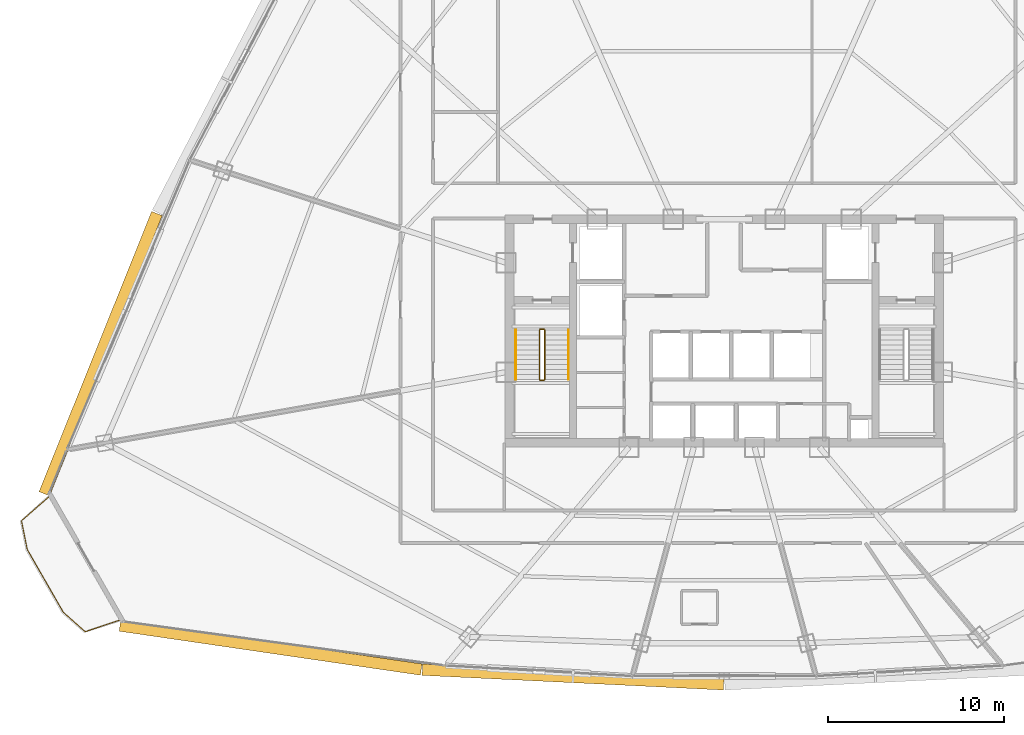
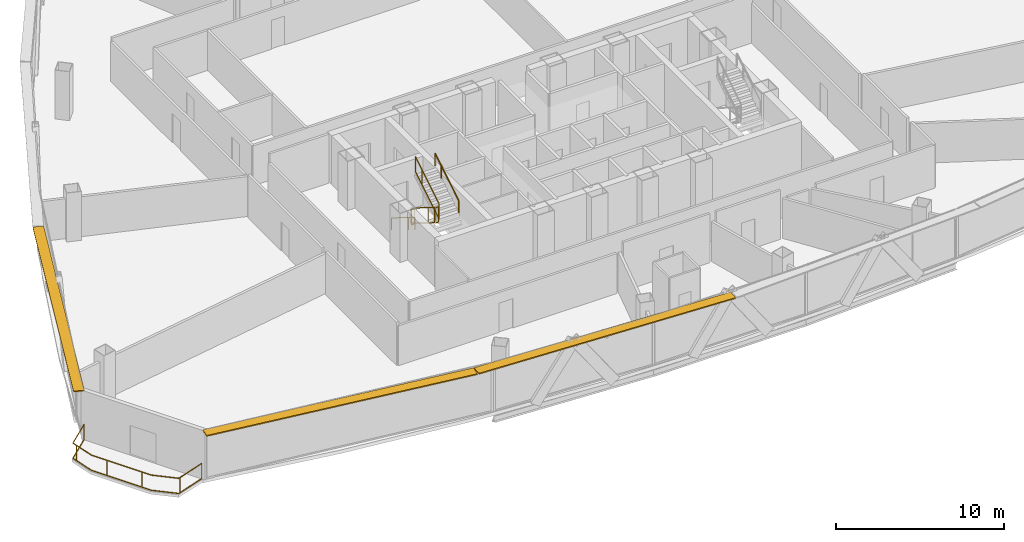
# One storey, part 34 of 37: 7 railings, 3 shading devices.
"""IFC4 building model written with IfcOpenShell, lengths in metres."""

from ifc_helpers import new_model, si_unit, direction, frame, origin, origin_2d, place, context, subcontext, project, spatial, rectangle, extrude, source, transform, mapped, material, layer, layer_set, type_object, element, save


model = new_model("IFC4")

# Units and contexts
model_context = context("Model", 3, precision=1e-05, world=origin(), true_north=direction((0.0, 1.0)))
body_context = subcontext(model_context, "Body", "Model", "MODEL_VIEW")
ifc_project = project(units=[si_unit("LENGTHUNIT", "METRE"), si_unit("AREAUNIT", "SQUARE_METRE"), si_unit("VOLUMEUNIT", "CUBIC_METRE"), si_unit("PLANEANGLEUNIT", "RADIAN"), si_unit("MASSUNIT", "GRAM", prefix="KILO"), si_unit("THERMODYNAMICTEMPERATUREUNIT", "KELVIN"), si_unit("POWERUNIT", "WATT")], contexts=[model_context])

# Site, building, storey
site_placement = place(None, origin())
site = spatial("IfcSite", under=ifc_project, at=site_placement, CompositionType="ELEMENT")
building_placement = place(site_placement, origin())
building = spatial("IfcBuilding", under=site, at=building_placement, Name="Yunzhuo Pagoda Commons", CompositionType="ELEMENT")
storey_placement = place(building_placement, frame((0.0, 0.0, 196.159912109375)))
storey = spatial("IfcBuildingStorey", under=building, at=storey_placement, Name="L49", CompositionType="ELEMENT", Elevation=196.159912109375)

# Railings
ifc_material = material(Name="Anodized aluminium 6063-T6", Category="aluminium")
railing_type_1 = type_object("IfcRailingType", Name="GR-ST1 Stair Well Guardrail 1150", PredefinedType="GUARDRAIL", material=ifc_material)
railing_1_placement = place(storey_placement, frame((37.5, 33.89990234375, 0.1728515625)))
element("IfcRailing", 1, at=railing_1_placement, inside=storey, type_object=railing_type_1, Name="L49 ST1 stair guard 1", PredefinedType="GUARDRAIL", context=body_context, shape_type="SweptSolid", body=[
    extrude(rectangle(XDim=0.048095703125, YDim=0.048095703125, at=origin_2d()), frame((0.0, 0.0, 1.1259765625), z_axis=(0.0, -0.851069175582, 0.525053576669), x_axis=(1.0, 0.0, 0.0)), (0.0, 0.0, 1.0), 3.289794921875),
    extrude(rectangle(XDim=0.048095703125, YDim=0.048095703125, at=origin_2d()), frame((0.0, 0.0, 0.02392578125), z_axis=(0.0, -0.851069175582, 0.525053576669), x_axis=(1.0, 0.0, 0.0)), (0.0, 0.0, 1.0), 3.289794921875),
    extrude(rectangle(XDim=0.0419921875, YDim=0.0419921875, at=origin_2d()), origin(), (0.0, 0.0, 1.0), 1.101806640625),
    extrude(rectangle(XDim=0.0419921875, YDim=0.0419921875, at=origin_2d()), frame((0.0, -2.04248046875, 1.260009765625)), (0.0, 0.0, 1.0), 1.101806640625),
    extrude(rectangle(XDim=0.0419921875, YDim=0.0419921875, at=origin_2d()), frame((0.0, -2.7998046875, 1.727294921875)), (0.0, 0.0, 1.0), 1.101806640625),
])
railing_2_placement = place(storey_placement, frame((37.550048828125, 31.050048828125, 1.900146484375)))
element("IfcRailing", 2, at=railing_2_placement, inside=storey, type_object=railing_type_1, Name="L49 ST1 stair guard 2", PredefinedType="GUARDRAIL", context=body_context, shape_type="SweptSolid", body=[
    extrude(rectangle(XDim=0.048095703125, YDim=0.048095703125, at=origin_2d()), frame((0.0, 0.0, 1.1259765625), z_axis=(1.0, 0.0, 0.0), x_axis=(0.0, 1.0, 0.0)), (0.0, 0.0, 1.0), 0.199951171875),
    extrude(rectangle(XDim=0.048095703125, YDim=0.048095703125, at=origin_2d()), frame((0.0, 0.0, 0.02392578125), z_axis=(1.0, 0.0, 0.0), x_axis=(0.0, 1.0, 0.0)), (0.0, 0.0, 1.0), 0.199951171875),
    extrude(rectangle(XDim=0.0419921875, YDim=0.0419921875, at=origin_2d()), origin(), (0.0, 0.0, 1.0), 1.101806640625),
    extrude(rectangle(XDim=0.0419921875, YDim=0.0419921875, at=origin_2d()), frame((0.199951171875, 0.0, 0.0)), (0.0, 0.0, 1.0), 1.101806640625),
])
railing_3_placement = place(storey_placement, frame((37.800048828125, 31.10009765625, 2.07275390625)))
element("IfcRailing", 3, at=railing_3_placement, inside=storey, type_object=railing_type_1, Name="L49 ST1 stair guard 3", PredefinedType="GUARDRAIL", context=body_context, shape_type="SweptSolid", body=[
    extrude(rectangle(XDim=0.048095703125, YDim=0.048095703125, at=origin_2d()), frame((0.0, 0.0, 1.1259765625), z_axis=(0.0, 0.851069175582, 0.525053576669), x_axis=(-1.0, 0.0, 0.0)), (0.0, 0.0, 1.0), 3.289794921875),
    extrude(rectangle(XDim=0.048095703125, YDim=0.048095703125, at=origin_2d()), frame((0.0, 0.0, 0.02392578125), z_axis=(0.0, 0.851069175582, 0.525053576669), x_axis=(-1.0, 0.0, 0.0)), (0.0, 0.0, 1.0), 3.289794921875),
    extrude(rectangle(XDim=0.0419921875, YDim=0.0419921875, at=origin_2d()), origin(), (0.0, 0.0, 1.0), 1.101806640625),
    extrude(rectangle(XDim=0.0419921875, YDim=0.0419921875, at=origin_2d()), frame((0.0, 2.04248046875, 1.260009765625)), (0.0, 0.0, 1.0), 1.101806640625),
    extrude(rectangle(XDim=0.0419921875, YDim=0.0419921875, at=origin_2d()), frame((0.0, 2.7998046875, 1.727294921875)), (0.0, 0.0, 1.0), 1.101806640625),
])
railing_4_placement = place(storey_placement, frame((37.550048828125, 33.949951171875, 0.0)))
element("IfcRailing", 4, at=railing_4_placement, inside=storey, type_object=railing_type_1, Name="L49 ST1 stair guard 4", PredefinedType="GUARDRAIL", context=body_context, shape_type="SweptSolid", body=[
    extrude(rectangle(XDim=0.048095703125, YDim=0.048095703125, at=origin_2d()), frame((0.0, 0.0, 1.1259765625), z_axis=(1.0, 0.0, 0.0), x_axis=(0.0, 1.0, 0.0)), (0.0, 0.0, 1.0), 0.199951171875),
    extrude(rectangle(XDim=0.048095703125, YDim=0.048095703125, at=origin_2d()), frame((0.0, 0.0, 0.02392578125), z_axis=(1.0, 0.0, 0.0), x_axis=(0.0, 1.0, 0.0)), (0.0, 0.0, 1.0), 0.199951171875),
    extrude(rectangle(XDim=0.0419921875, YDim=0.0419921875, at=origin_2d()), origin(), (0.0, 0.0, 1.0), 1.101806640625),
    extrude(rectangle(XDim=0.0419921875, YDim=0.0419921875, at=origin_2d()), frame((0.199951171875, 0.0, 0.0)), (0.0, 0.0, 1.0), 1.101806640625),
])
railing_type_2 = type_object("IfcRailingType", Name="HR-ST1 Stair Handrail 900", PredefinedType="HANDRAIL", material=ifc_material)
railing_5_placement = place(storey_placement, frame((36.14990234375, 33.89990234375, 0.1728515625)))
element("IfcRailing", 5, at=railing_5_placement, inside=storey, type_object=railing_type_2, Name="L49 ST1 stair handrail 1", PredefinedType="HANDRAIL", context=body_context, shape_type="SweptSolid", body=[
    extrude(rectangle(XDim=0.048095703125, YDim=0.048095703125, at=origin_2d()), frame((0.0, 0.0, 0.8759765625), z_axis=(0.0, -0.851069175582, 0.525053576669), x_axis=(1.0, 0.0, 0.0)), (0.0, 0.0, 1.0), 3.289794921875),
    extrude(rectangle(XDim=0.0419921875, YDim=0.0419921875, at=origin_2d()), origin(), (0.0, 0.0, 1.0), 0.851806640625),
    extrude(rectangle(XDim=0.0419921875, YDim=0.0419921875, at=origin_2d()), frame((0.0, -2.04248046875, 1.260009765625)), (0.0, 0.0, 1.0), 0.851806640625),
    extrude(rectangle(XDim=0.0419921875, YDim=0.0419921875, at=origin_2d()), frame((0.0, -2.7998046875, 1.727294921875)), (0.0, 0.0, 1.0), 0.851806640625),
])
railing_6_placement = place(storey_placement, frame((39.14990234375, 31.10009765625, 2.07275390625)))
element("IfcRailing", 6, at=railing_6_placement, inside=storey, type_object=railing_type_2, Name="L49 ST1 stair handrail 2", PredefinedType="HANDRAIL", context=body_context, shape_type="SweptSolid", body=[
    extrude(rectangle(XDim=0.048095703125, YDim=0.048095703125, at=origin_2d()), frame((0.0, 0.0, 0.8759765625), z_axis=(0.0, 0.851069175582, 0.525053576669), x_axis=(-1.0, 0.0, 0.0)), (0.0, 0.0, 1.0), 3.289794921875),
    extrude(rectangle(XDim=0.0419921875, YDim=0.0419921875, at=origin_2d()), origin(), (0.0, 0.0, 1.0), 0.851806640625),
    extrude(rectangle(XDim=0.0419921875, YDim=0.0419921875, at=origin_2d()), frame((0.0, 2.04248046875, 1.260009765625)), (0.0, 0.0, 1.0), 0.851806640625),
    extrude(rectangle(XDim=0.0419921875, YDim=0.0419921875, at=origin_2d()), frame((0.0, 2.7998046875, 1.727294921875)), (0.0, 0.0, 1.0), 0.851806640625),
])
railing_type_3 = type_object("IfcRailingType", Name="RL-BAL1 Exterior Terrace & Balcony Balustrade 1150", PredefinedType="BALUSTRADE", material=ifc_material)
railing_7_placement = place(storey_placement, frame((9.6123046875, 24.421875, 0.0)))
element("IfcRailing", 7, at=railing_7_placement, inside=storey, type_object=railing_type_3, Name="L49 corner balcony balustrade V1", PredefinedType="BALUSTRADE", context=body_context, shape_type="SweptSolid", body=[
    extrude(rectangle(XDim=0.048095703125, YDim=0.048095703125, at=origin_2d()), frame((0.0, 0.0, 1.1259765625), z_axis=(-0.753933830692, -0.656950362614, 0.0), x_axis=(0.656950362614, -0.753933830692, 0.0)), (0.0, 0.0, 1.0), 2.05908203125),
    extrude(rectangle(XDim=0.048095703125, YDim=0.048095703125, at=origin_2d()), frame((0.0, 0.0, 0.02392578125), z_axis=(-0.753933830692, -0.656950362614, 0.0), x_axis=(0.656950362614, -0.753933830692, 0.0)), (0.0, 0.0, 1.0), 2.05908203125),
    extrude(rectangle(XDim=0.048095703125, YDim=0.048095703125, at=origin_2d()), frame((-1.552490234375, -1.352783203125, 1.1259765625), z_axis=(0.196031545686, -0.980597589787, 0.0), x_axis=(0.980597589787, 0.196031545686, 0.0)), (0.0, 0.0, 1.0), 1.6650390625),
    extrude(rectangle(XDim=0.048095703125, YDim=0.048095703125, at=origin_2d()), frame((-1.552490234375, -1.352783203125, 0.02392578125), z_axis=(0.196031545686, -0.980597589787, 0.0), x_axis=(0.980597589787, 0.196031545686, 0.0)), (0.0, 0.0, 1.0), 1.6650390625),
    extrude(rectangle(XDim=0.048095703125, YDim=0.048095703125, at=origin_2d()), frame((-1.22607421875, -2.985595703125, 1.1259765625), z_axis=(0.497919550018, -0.867223224844, 0.0), x_axis=(0.867223224844, 0.497919550018, 0.0)), (0.0, 0.0, 1.0), 4.1171875),
    extrude(rectangle(XDim=0.048095703125, YDim=0.048095703125, at=origin_2d()), frame((-1.22607421875, -2.985595703125, 0.02392578125), z_axis=(0.497919550018, -0.867223224844, 0.0), x_axis=(0.867223224844, 0.497919550018, 0.0)), (0.0, 0.0, 1.0), 4.1171875),
    extrude(rectangle(XDim=0.048095703125, YDim=0.048095703125, at=origin_2d()), frame((0.823974609375, -6.55615234375, 1.1259765625), z_axis=(0.748072290348, -0.663617245416, 0.0), x_axis=(0.663617245416, 0.748072290348, 0.0)), (0.0, 0.0, 1.0), 1.6650390625),
    extrude(rectangle(XDim=0.048095703125, YDim=0.048095703125, at=origin_2d()), frame((0.823974609375, -6.55615234375, 0.02392578125), z_axis=(0.748072290348, -0.663617245416, 0.0), x_axis=(0.663617245416, 0.748072290348, 0.0)), (0.0, 0.0, 1.0), 1.6650390625),
    extrude(rectangle(XDim=0.048095703125, YDim=0.048095703125, at=origin_2d()), frame((2.069580078125, -7.6611328125, 1.1259765625), z_axis=(0.947419062147, 0.319995501031, 0.0), x_axis=(-0.319995501031, 0.947419062147, 0.0)), (0.0, 0.0, 1.0), 2.05908203125),
    extrude(rectangle(XDim=0.048095703125, YDim=0.048095703125, at=origin_2d()), frame((2.069580078125, -7.6611328125, 0.02392578125), z_axis=(0.947419062147, 0.319995501031, 0.0), x_axis=(-0.319995501031, 0.947419062147, 0.0)), (0.0, 0.0, 1.0), 2.05908203125),
    extrude(rectangle(XDim=0.0419921875, YDim=0.0419921875, at=origin_2d()), origin(), (0.0, 0.0, 1.0), 1.101806640625),
    extrude(rectangle(XDim=0.0419921875, YDim=0.0419921875, at=origin_2d()), frame((-1.485595703125, -1.68701171875, 0.0)), (0.0, 0.0, 1.0), 1.101806640625),
    extrude(rectangle(XDim=0.0419921875, YDim=0.0419921875, at=origin_2d()), frame((-0.6904296875, -3.91845703125, 0.0)), (0.0, 0.0, 1.0), 1.101806640625),
    extrude(rectangle(XDim=0.0419921875, YDim=0.0419921875, at=origin_2d()), frame((0.504638671875, -5.999755859375, 0.0)), (0.0, 0.0, 1.0), 1.101806640625),
    extrude(rectangle(XDim=0.0419921875, YDim=0.0419921875, at=origin_2d()), frame((2.157958984375, -7.63134765625, 0.0)), (0.0, 0.0, 1.0), 1.101806640625),
    extrude(rectangle(XDim=0.0419921875, YDim=0.0419921875, at=origin_2d()), frame((4.0205078125, -7.002197265625, 0.0)), (0.0, 0.0, 1.0), 1.101806640625),
])

# Shading devices
ifc_layer = layer(ifc_material, 0.080078125)
ifc_layer_set = layer_set([ifc_layer], Name="Anodized aluminium 6063-T6")
shading_device_type = type_object("IfcShadingDeviceType", Name="SH-SUN1 Pagoda Horizontal Sunshade Eave 650", PredefinedType="USERDEFINED", material=ifc_layer_set)
shared_shape_1 = source(origin(), body_context, "Body", "SweptSolid", [
    extrude(rectangle(XDim=17.305419921875, YDim=0.64990234375, at=origin_2d()), origin(), (0.0, 0.0, 1.0), 0.080078125),
])
shading_device_1_placement = place(storey_placement, frame((22.2197265625, 15.860107421875, 3.4599609375), z_axis=(0.0, 0.0, 1.0), x_axis=(0.989510666697, -0.144459823108, 0.0)))
element("IfcShadingDevice", 8, at=shading_device_1_placement, inside=storey, type_object=shading_device_type, Name="L49 horizontal pagoda sunshade eave F1.1", ObjectType="SUNSHADE", PredefinedType="USERDEFINED", context=body_context, shape_type="MappedRepresentation", body=[
    mapped(shared_shape_1, transform((0.0, 0.0, 0.0), scale=1.0)),
])
shared_shape_2 = source(origin(), body_context, "Body", "SweptSolid", [
    extrude(rectangle(XDim=17.14404296875, YDim=0.64990234375, at=origin_2d()), origin(), (0.0, 0.0, 1.0), 0.080078125),
])
shading_device_2_placement = place(storey_placement, frame((39.406494140625, 14.1875, 3.4599609375), z_axis=(0.0, 0.0, 1.0), x_axis=(0.998818043775, -0.04860571396, 0.0)))
element("IfcShadingDevice", 9, at=shading_device_2_placement, inside=storey, type_object=shading_device_type, Name="L49 horizontal pagoda sunshade eave F1.2", ObjectType="SUNSHADE", PredefinedType="USERDEFINED", context=body_context, shape_type="MappedRepresentation", body=[
    mapped(shared_shape_2, transform((0.0, 0.0, 0.0), scale=1.0)),
])
shared_shape_3 = source(origin(), body_context, "Body", "SweptSolid", [
    extrude(rectangle(XDim=17.16650390625, YDim=0.64990234375, at=origin_2d()), origin(), (0.0, 0.0, 1.0), 0.080078125),
])
shading_device_3_placement = place(storey_placement, frame((12.558837890625, 32.56298828125, 3.4599609375), z_axis=(0.0, 0.0, 1.0), x_axis=(-0.372987782576, -0.927836253899, 0.0)))
element("IfcShadingDevice", 10, at=shading_device_3_placement, inside=storey, type_object=shading_device_type, Name="L49 horizontal pagoda sunshade eave F3.4", ObjectType="SUNSHADE", PredefinedType="USERDEFINED", context=body_context, shape_type="MappedRepresentation", body=[
    mapped(shared_shape_3, transform((0.0, 0.0, 0.0), scale=1.0)),
])

save(model, "model.ifc")
